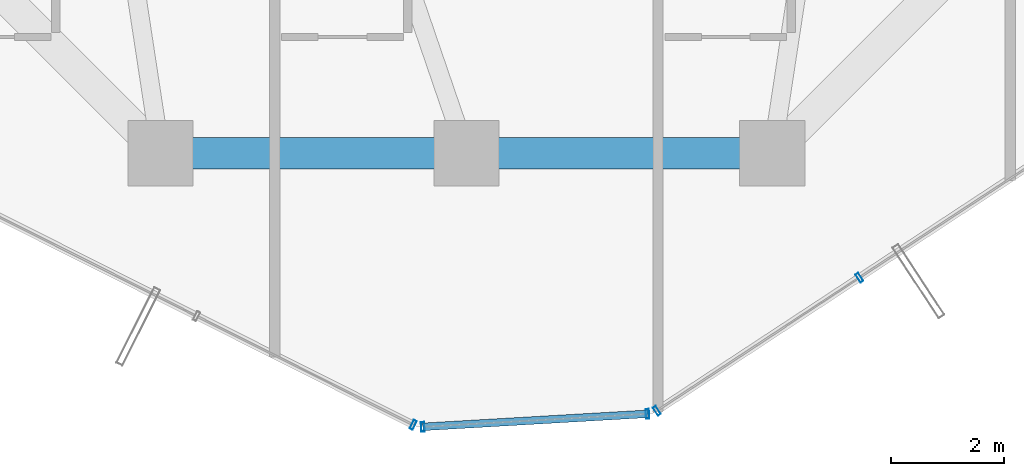
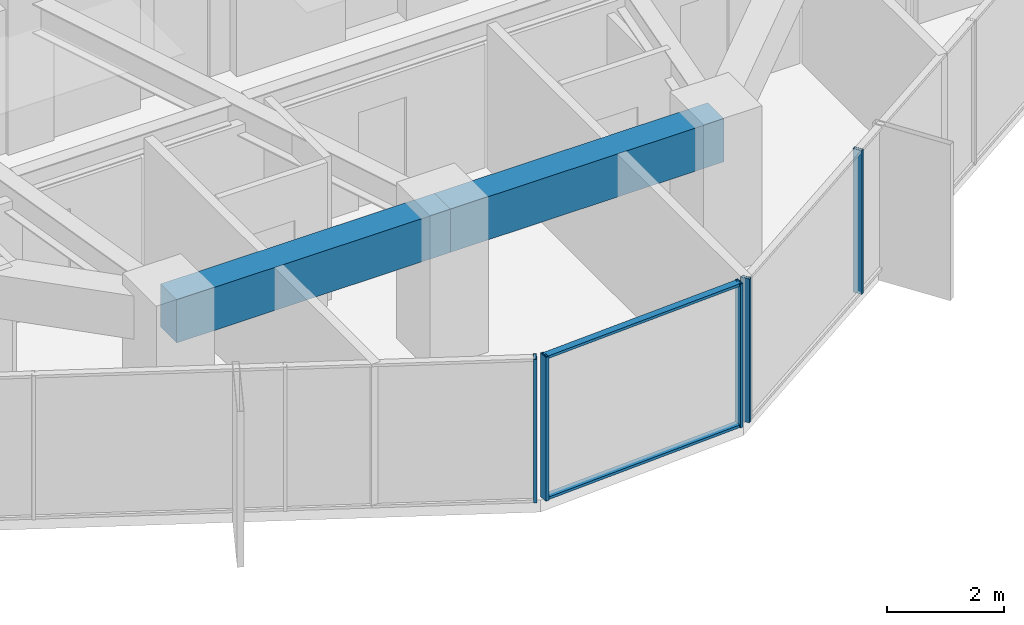
# One storey, part 7 of 33: 7 members, 2 beams, 3 elements without a shape of their own.
"""IFC4 building model written with IfcOpenShell, lengths in metres."""

from ifc_helpers import new_model, si_unit, direction, frame, origin, origin_2d, place, context, subcontext, project, spatial, rectangle, hollow_rectangle, extrude, source, transform, mapped, material, layer, layer_set, material_profile, profile_set, type_object, element, aggregate, save


model = new_model("IFC4")

# Units and contexts
model_context = context("Model", 3, precision=1e-05, world=origin(), true_north=direction((0.0, 1.0)))
body_context = subcontext(model_context, "Body", "Model", "MODEL_VIEW")
ifc_project = project(units=[si_unit("LENGTHUNIT", "METRE"), si_unit("AREAUNIT", "SQUARE_METRE"), si_unit("VOLUMEUNIT", "CUBIC_METRE"), si_unit("PLANEANGLEUNIT", "RADIAN"), si_unit("MASSUNIT", "GRAM", prefix="KILO")], contexts=[model_context])

# Site, building, storey
site_placement = place(None, origin())
site = spatial("IfcSite", under=ifc_project, at=site_placement, CompositionType="ELEMENT")
building_placement = place(site_placement, origin())
building = spatial("IfcBuilding", under=site, at=building_placement, Name="Veraguas Prism Commons", CompositionType="ELEMENT")
storey_placement = place(building_placement, frame((0.0, 0.0, 139.25)))
storey = spatial("IfcBuildingStorey", under=building, at=storey_placement, Name="L39", CompositionType="ELEMENT", Elevation=139.25)

# Beams
ifc_material_1 = material(Name="Concrete C50/60", Category="concrete")
ifc_material_profile_1 = material_profile(ifc_material_1, rectangle(XDim=0.550048828125, YDim=0.89990234375, at=origin_2d()), Name="RC550X900")
ifc_profile_set_1 = profile_set([ifc_material_profile_1], Name="Concrete C50/60")
beam_type = type_object("IfcBeamType", Name="Perimeter Spandrel Lower RC 550x900", PredefinedType="SPANDREL", material=ifc_profile_set_1)
for number, where, z_axis, x_axis, name in (
    (1, (18.60009765625, 7.800048828125, 2.550048828125), (1.0, 0.0, 0.0), (0.0, 1.0, 0.0), "Perimeter Spandrel Beam L39-SP10"),
    (2, (24.0, 7.800048828125, 2.550048828125), (1.0, 0.0, 0.0), (0.0, 1.0, 0.0), "Perimeter Spandrel Beam L39-SP11"),
):
    element("IfcBeam", number, at=place(storey_placement, frame(where, z_axis=z_axis, x_axis=x_axis)), inside=storey, type_object=beam_type, Name=name, PredefinedType="SPANDREL", context=body_context, shape_type="SweptSolid", body=[
        extrude(rectangle(XDim=0.550048828125, YDim=0.89990234375, at=origin_2d()), origin(), (0.0, 0.0, 1.0), 5.39990234375),
    ])

# Curtain wall, member
ifc_material_2 = material(Name="Anodised aluminium EN AW-6063 T6", Category="aluminium")
ifc_layer = layer(ifc_material_2, 0.169921875, Name="Unitised Flush Curtain Wall Zone 2", Category="aluminium")
ifc_layer_set = layer_set([ifc_layer], Name="Anodised aluminium EN AW-6063 T6")
curtain_wall_type = type_object("IfcCurtainWallType", Name="Unitised Flush Curtain Wall Zone 2", PredefinedType="NOTDEFINED", material=ifc_layer_set)
curtain_wall_1_placement = place(storey_placement, origin())
curtain_wall_1 = element("IfcCurtainWall", 3, at=curtain_wall_1_placement, inside=storey, type_object=curtain_wall_type, Name="Tower Facade Curtain Wall L39-F4", PredefinedType="NOTDEFINED")
ifc_material_profile_2 = material_profile(ifc_material_2, hollow_rectangle(XDim=0.06005859375, YDim=0.169921875, WallThickness=0.00390625, at=origin_2d()), Name="AL60X170X4")
ifc_profile_set_2 = profile_set([ifc_material_profile_2], Name="Anodised aluminium EN AW-6063 T6")
member_type_1 = type_object("IfcMemberType", Name="Curtain Wall Mullion Lower AL 60x170x4", PredefinedType="MULLION", material=ifc_profile_set_2)
shared_shape_1 = source(origin(), body_context, "Body", "SweptSolid", [
    extrude(hollow_rectangle(XDim=0.06005859375, YDim=0.169921875, WallThickness=0.00390625, at=origin_2d()), origin(), (0.0, 0.0, 1.0), 3.0),
])
member_1_placement = place(storey_placement, frame((23.059814453125, 3.004150390625, 0.0), z_axis=(0.0, 0.0, 1.0), x_axis=(0.893525824808, -0.449011804301, 0.0)))
member_1 = element("IfcMember", 4, at=member_1_placement, type_object=member_type_1, Name="CW-Z2 Mullion 5", PredefinedType="MULLION", context=body_context, shape_type="MappedRepresentation", body=[
    mapped(shared_shape_1, transform((0.0, 0.0, 0.0), scale=1.0)),
])
aggregate(curtain_wall_1, [member_1])

# Curtain wall, members
curtain_wall_2_placement = place(storey_placement, origin())
curtain_wall_2 = element("IfcCurtainWall", 5, at=curtain_wall_2_placement, inside=storey, type_object=curtain_wall_type, Name="Tower Facade Curtain Wall L39-F5", PredefinedType="NOTDEFINED")
member_2_placement = place(storey_placement, frame((27.361572265625, 3.253662109375, 0.0), z_axis=(0.0, 0.0, 1.0), x_axis=(0.835619500254, 0.54930870264, 0.0)))
member_2 = element("IfcMember", 6, at=member_2_placement, type_object=member_type_1, Name="CW-Z2 Mullion 1", PredefinedType="MULLION", context=body_context, shape_type="MappedRepresentation", body=[
    mapped(shared_shape_1, transform((0.0, 0.0, 0.0), scale=1.0)),
])
member_3_placement = place(storey_placement, frame((30.936767578125, 5.60400390625, 0.0), z_axis=(0.0, 0.0, 1.0), x_axis=(0.835619500254, 0.54930870264, 0.0)))
member_3 = element("IfcMember", 7, at=member_3_placement, type_object=member_type_1, Name="CW-Z2 Mullion 2", PredefinedType="MULLION", context=body_context, shape_type="MappedRepresentation", body=[
    mapped(shared_shape_1, transform((0.0, 0.0, 0.0), scale=1.0)),
])
aggregate(curtain_wall_2, [member_2, member_3])

curtain_wall_3_placement = place(storey_placement, origin())
curtain_wall_3 = element("IfcCurtainWall", 8, at=curtain_wall_3_placement, inside=storey, type_object=curtain_wall_type, Name="Chamfer Curtain Wall L39-C5", PredefinedType="NOTDEFINED")
member_4_placement = place(storey_placement, frame((23.230224609375, 2.968994140625, 0.0), z_axis=(0.0, 0.0, 1.0), x_axis=(0.99832257172, 0.057896828874, 0.0)))
member_4 = element("IfcMember", 9, at=member_4_placement, type_object=member_type_1, Name="CW-Z2 Mullion 1", PredefinedType="MULLION", context=body_context, shape_type="MappedRepresentation", body=[
    mapped(shared_shape_1, transform((0.0, 0.0, 0.0), scale=1.0)),
])
member_5_placement = place(storey_placement, frame((27.196533203125, 3.198974609375, 0.0), z_axis=(0.0, 0.0, 1.0), x_axis=(0.99832257172, 0.057896828874, 0.0)))
member_5 = element("IfcMember", 10, at=member_5_placement, type_object=member_type_1, Name="CW-Z2 Mullion 2", PredefinedType="MULLION", context=body_context, shape_type="MappedRepresentation", body=[
    mapped(shared_shape_1, transform((0.0, 0.0, 0.0), scale=1.0)),
])
ifc_material_profile_3 = material_profile(ifc_material_2, hollow_rectangle(XDim=0.054931640625, YDim=0.135009765625, WallThickness=0.0029296875, at=origin_2d()), Name="AL55X135X3")
ifc_profile_set_3 = profile_set([ifc_material_profile_3], Name="Anodised aluminium EN AW-6063 T6")
member_type_2 = type_object("IfcMemberType", Name="Curtain Wall Transom Standard AL 55x135x3", PredefinedType="USERDEFINED", material=ifc_profile_set_3)
shared_shape_2 = source(origin(), body_context, "Body", "SweptSolid", [
    extrude(hollow_rectangle(XDim=0.054931640625, YDim=0.135009765625, WallThickness=0.0029296875, at=origin_2d()), origin(), (0.0, 0.0, 1.0), 3.972900390625),
])
member_6_placement = place(storey_placement, frame((23.230224609375, 2.968994140625, 0.027587890625), z_axis=(0.998323183672, 0.057886275946, 0.0), x_axis=(0.0, 0.0, 1.0)))
member_6 = element("IfcMember", 11, at=member_6_placement, type_object=member_type_2, Name="CW-Z2 Transom 1", ObjectType="TRANSOM", PredefinedType="USERDEFINED", context=body_context, shape_type="MappedRepresentation", body=[
    mapped(shared_shape_2, transform((0.0, 0.0, 0.0), scale=1.0)),
])
member_7_placement = place(storey_placement, frame((23.230224609375, 2.968994140625, 2.972412109375), z_axis=(0.998323183672, 0.057886275946, 0.0), x_axis=(0.0, 0.0, 1.0)))
member_7 = element("IfcMember", 12, at=member_7_placement, type_object=member_type_2, Name="CW-Z2 Transom 2", ObjectType="TRANSOM", PredefinedType="USERDEFINED", context=body_context, shape_type="MappedRepresentation", body=[
    mapped(shared_shape_2, transform((0.0, 0.0, 0.0), scale=1.0)),
])
aggregate(curtain_wall_3, [member_4, member_5, member_6, member_7])

save(model, "model.ifc")
